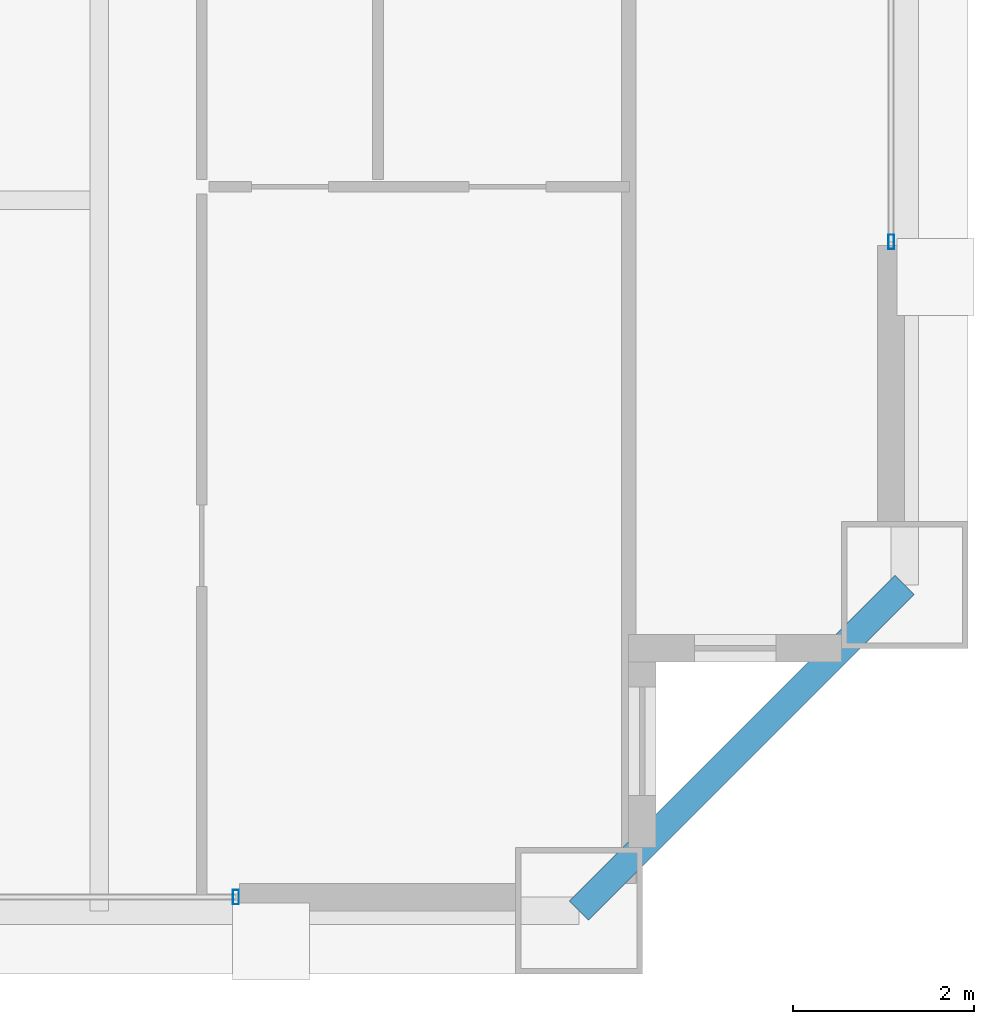
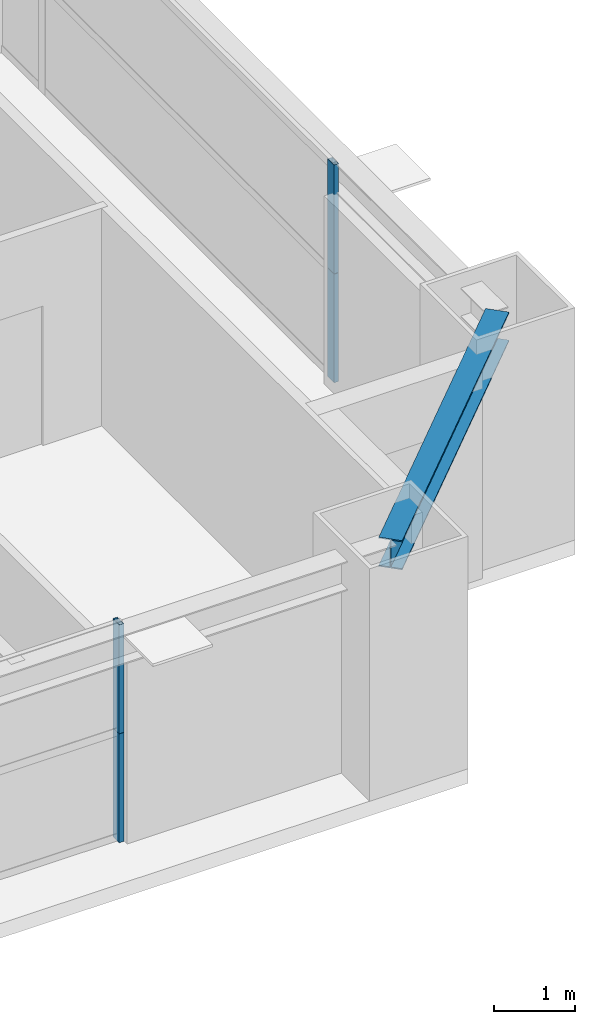
# One storey, part 16 of 38: 4 members, 1 beam, 2 elements without a shape of their own.
"""IFC4 building model written with IfcOpenShell, lengths in metres."""

from ifc_helpers import new_model, si_unit, direction, frame, origin, origin_2d, place, context, subcontext, project, spatial, hollow_rectangle, i_section, extrude, source, transform, mapped, material, layer, layer_set, material_profile, profile_set, type_object, element, aggregate, save


model = new_model("IFC4")

# Units and contexts
model_context = context("Model", 3, precision=1e-05, world=origin(), true_north=direction((0.0, 1.0)))
body_context = subcontext(model_context, "Body", "Model", "MODEL_VIEW")
ifc_project = project(units=[si_unit("LENGTHUNIT", "METRE"), si_unit("AREAUNIT", "SQUARE_METRE"), si_unit("VOLUMEUNIT", "CUBIC_METRE"), si_unit("PLANEANGLEUNIT", "RADIAN"), si_unit("MASSUNIT", "GRAM", prefix="KILO"), si_unit("THERMODYNAMICTEMPERATUREUNIT", "KELVIN"), si_unit("POWERUNIT", "WATT")], contexts=[model_context])

# Site, building, storey
site_placement = place(None, origin())
site = spatial("IfcSite", under=ifc_project, at=site_placement, CompositionType="ELEMENT")
building_placement = place(site_placement, origin())
building = spatial("IfcBuilding", under=site, at=building_placement, Name="Yuzanri Waterfront Tower", CompositionType="ELEMENT")
storey_placement = place(building_placement, frame((0.0, 0.0, 195.0)))
storey = spatial("IfcBuildingStorey", under=building, at=storey_placement, Name="L51", CompositionType="ELEMENT", Elevation=195.0)

# Beam
ifc_material_1 = material(Name="Steel Q355B", Category="steel")
ifc_material_profile_1 = material_profile(ifc_material_1, i_section(OverallWidth=0.300048828125, OverallDepth=0.43994140625, WebThickness=0.010986328125, FlangeThickness=0.01806640625, at=origin_2d()), Name="HM 440x300x11x18")
ifc_profile_set_1 = profile_set([ifc_material_profile_1], Name="Steel Q355B")
beam_type = type_object("IfcBeamType", Name="Perimeter Spandrel Q355B HM 440x300", PredefinedType="SPANDREL", material=ifc_profile_set_1)
shared_shape_1 = source(origin(), body_context, "Body", "SweptSolid", [
    extrude(i_section(OverallWidth=0.300048828125, OverallDepth=0.43994140625, WebThickness=0.010986328125, FlangeThickness=0.01806640625, at=origin_2d()), origin(), (0.0, 0.0, 1.0), 5.09130859375),
])
beam_placement = place(storey_placement, frame((55.5, 3.699951171875, 3.06005859375), z_axis=(0.707106781187, 0.707106781187, 0.0), x_axis=(-0.707106781187, 0.707106781187, 0.0)))
element("IfcBeam", 1, at=beam_placement, inside=storey, type_object=beam_type, Name="L51 Perimeter Spandrel S3-E1", PredefinedType="SPANDREL", context=body_context, shape_type="MappedRepresentation", body=[
    mapped(shared_shape_1, transform((0.0, 0.0, 0.0), scale=1.0)),
])

# Curtain wall, members
ifc_material_2 = material(Name="Anodized Architectural Bronze", Category="metal")
ifc_layer = layer(ifc_material_2, 0.159912109375)
ifc_layer_set = layer_set([ifc_layer], Name="Anodized Architectural Bronze")
curtain_wall_type = type_object("IfcCurtainWallType", Name="Anodized Bronze Mid-Rise Residential Acoustic Unitized Curtain Wall 7200", PredefinedType="NOTDEFINED", material=ifc_layer_set)
curtain_wall_1_placement = place(storey_placement, origin())
curtain_wall_1 = element("IfcCurtainWall", 2, at=curtain_wall_1_placement, inside=storey, type_object=curtain_wall_type, Name="L51 Curtain Wall CW-L51-SR", PredefinedType="NOTDEFINED")
ifc_material_3 = material(Name="Anodized Architectural Bronze", Category="metal")
ifc_material_profile_2 = material_profile(ifc_material_3, hollow_rectangle(XDim=0.06494140625, YDim=0.159912109375, WallThickness=0.00341796875, at=origin_2d()), Name="CWM 65x160")
ifc_profile_set_2 = profile_set([ifc_material_profile_2], Name="Anodized Architectural Bronze")
member_type = type_object("IfcMemberType", Name="Anodized Bronze Upper-Zone Curtain-Wall Mullion 65x160", PredefinedType="MULLION", material=ifc_profile_set_2)
shared_shape_2 = source(origin(), body_context, "Body", "SweptSolid", [
    extrude(hollow_rectangle(XDim=0.06494140625, YDim=0.159912109375, WallThickness=0.00341796875, at=origin_2d()), origin(), (0.0, 0.0, 1.0), 1.637939453125),
])
member_1_placement = place(storey_placement, frame((51.7099609375, 3.85009765625, 0.0), z_axis=(0.0, 0.0, 1.0), x_axis=(1.0, 0.0, 0.0)))
member_1 = element("IfcMember", 3, at=member_1_placement, type_object=member_type, Name="CW-L51-SR Lower Mullion 02", PredefinedType="MULLION", context=body_context, shape_type="MappedRepresentation", body=[
    mapped(shared_shape_2, transform((0.0, 0.0, 0.0), scale=1.0)),
])
member_2_placement = place(storey_placement, frame((51.7099609375, 3.85009765625, 1.64208984375), z_axis=(0.0, 0.0, 1.0), x_axis=(1.0, 0.0, 0.0)))
member_2 = element("IfcMember", 4, at=member_2_placement, type_object=member_type, Name="CW-L51-SR Upper Mullion 02", PredefinedType="MULLION", context=body_context, shape_type="MappedRepresentation", body=[
    mapped(shared_shape_2, transform((0.0, 0.0, 0.0), scale=1.0)),
])
aggregate(curtain_wall_1, [member_1, member_2])

curtain_wall_2_placement = place(storey_placement, origin())
curtain_wall_2 = element("IfcCurtainWall", 5, at=curtain_wall_2_placement, inside=storey, type_object=curtain_wall_type, Name="L51 Curtain Wall CW-L51-EL", PredefinedType="NOTDEFINED")
member_3_placement = place(storey_placement, frame((58.949951171875, 11.090087890625, 0.0), z_axis=(0.0, 0.0, 1.0), x_axis=(1.0, 0.0, 0.0)))
member_3 = element("IfcMember", 6, at=member_3_placement, type_object=member_type, Name="CW-L51-EL Lower Mullion 00", PredefinedType="MULLION", context=body_context, shape_type="MappedRepresentation", body=[
    mapped(shared_shape_2, transform((0.0, 0.0, 0.0), scale=1.0)),
])
member_4_placement = place(storey_placement, frame((58.949951171875, 11.090087890625, 1.64208984375), z_axis=(0.0, 0.0, 1.0), x_axis=(1.0, 0.0, 0.0)))
member_4 = element("IfcMember", 7, at=member_4_placement, type_object=member_type, Name="CW-L51-EL Upper Mullion 00", PredefinedType="MULLION", context=body_context, shape_type="MappedRepresentation", body=[
    mapped(shared_shape_2, transform((0.0, 0.0, 0.0), scale=1.0)),
])
aggregate(curtain_wall_2, [member_3, member_4])

save(model, "model.ifc")
